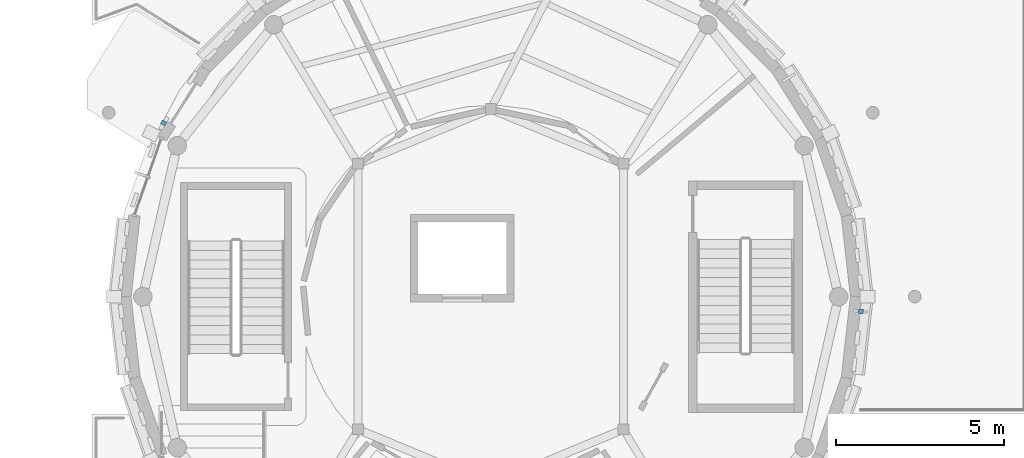
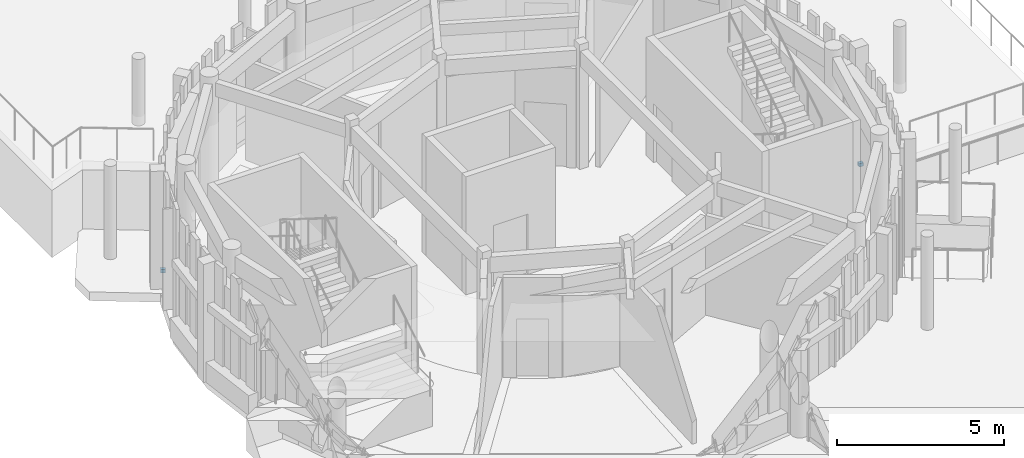
# One storey, part 60 of 94: 2 discrete accessories.
"""IFC4 building model written with IfcOpenShell, lengths in metres."""

from ifc_helpers import new_model, si_unit, direction, frame, origin, origin_2d, place, context, subcontext, project, spatial, rectangle, extrude, material, type_object, element, save


model = new_model("IFC4")

# Units and contexts
model_context = context("Model", 3, precision=1e-05, world=origin(), true_north=direction((0.0, 1.0)))
body_context = subcontext(model_context, "Body", "Model", "MODEL_VIEW")
ifc_project = project(units=[si_unit("LENGTHUNIT", "METRE"), si_unit("AREAUNIT", "SQUARE_METRE"), si_unit("VOLUMEUNIT", "CUBIC_METRE"), si_unit("PLANEANGLEUNIT", "RADIAN"), si_unit("MASSUNIT", "GRAM", prefix="KILO")], contexts=[model_context])

# Site, building, storey
site_placement = place(None, origin())
site = spatial("IfcSite", under=ifc_project, at=site_placement, CompositionType="ELEMENT")
building_placement = place(site_placement, origin())
building = spatial("IfcBuilding", under=site, at=building_placement, Name="Aldenvaro Health Centre", CompositionType="ELEMENT")
storey_placement = place(building_placement, origin())
storey = spatial("IfcBuildingStorey", under=building, at=storey_placement, Name="L00", CompositionType="ELEMENT", Elevation=0.0)

# Discrete accessories
ifc_material = material(Name="Stainless Steel AISI 316", Category="steel")
discrete_accessory_type = type_object("IfcDiscreteAccessoryType", Name="ACC-BRK-01", PredefinedType="BRACKET", material=ifc_material)
for number, where, z_axis, x_axis, name in (
    (1, (34.5419921875, 57.06103515625, 0.18994140625), (0.0, 0.0, 1.0), (-0.111870646695, -0.993722777443, 0.0), "D3 L00 stainless fin bracket 1"),
    (2, (13.741943359375, 62.68603515625, 0.18994140625), (0.0, 0.0, 1.0), (0.532096042675, 0.846684003256, 0.0), "D3 L00 stainless fin bracket 17"),
):
    element("IfcDiscreteAccessory", number, at=place(storey_placement, frame(where, z_axis=z_axis, x_axis=x_axis)), inside=storey, type_object=discrete_accessory_type, Name=name, PredefinedType="BRACKET", context=body_context, shape_type="SweptSolid", body=[
        extrude(rectangle(XDim=0.1201171875, YDim=0.139892578125, at=origin_2d()), origin(), (0.0, 0.0, 1.0), 0.1201171875),
    ])

save(model, "model.ifc")
